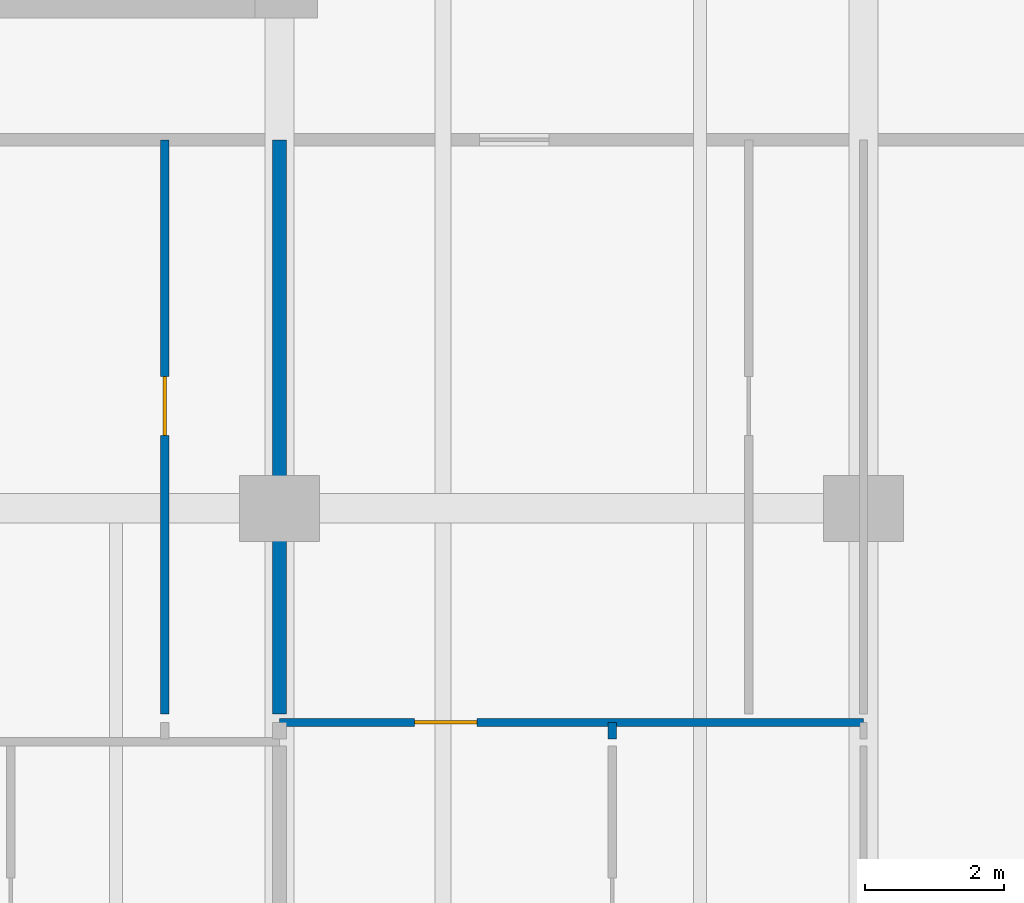
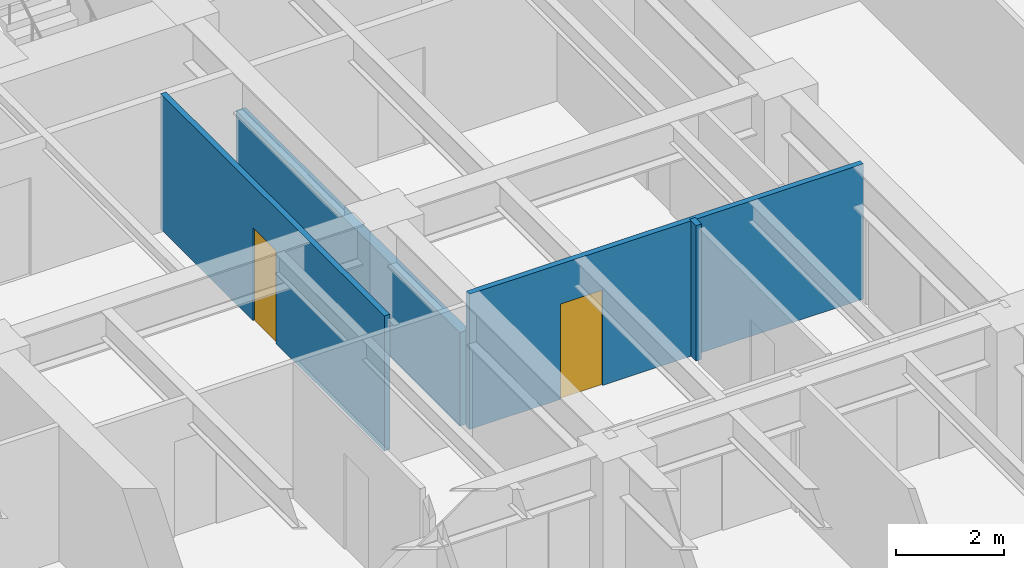
# One storey, part 10 of 18: 4 walls, 2 doors, 2 openings.
"""IFC4 building model written with IfcOpenShell, lengths in metres."""

from ifc_helpers import new_model, si_unit, direction, frame, frame_2d, origin, place, context, subcontext, project, spatial, rectangle, extrude, material, layer, layer_set, type_object, element, fill, save


model = new_model("IFC4")

# Units and contexts
model_context = context("Model", 3, precision=1e-05, world=origin(), true_north=direction((0.0, 1.0)))
body_context = subcontext(model_context, "Body", "Model", "MODEL_VIEW")
ifc_project = project(units=[si_unit("LENGTHUNIT", "METRE"), si_unit("AREAUNIT", "SQUARE_METRE"), si_unit("VOLUMEUNIT", "CUBIC_METRE"), si_unit("PLANEANGLEUNIT", "RADIAN"), si_unit("MASSUNIT", "GRAM", prefix="KILO")], contexts=[model_context])

# Site, building, storey
site_placement = place(None, origin())
site = spatial("IfcSite", under=ifc_project, at=site_placement, CompositionType="ELEMENT")
building_placement = place(site_placement, origin())
building = spatial("IfcBuilding", under=site, at=building_placement, Name="Caelmar Bay Residences", CompositionType="ELEMENT")
storey_placement = place(building_placement, frame((0.0, 0.0, 69.60009765625)))
storey = spatial("IfcBuildingStorey", under=building, at=storey_placement, Name="L18", CompositionType="ELEMENT", Elevation=69.60009765625)

# Wall, opening, door
ifc_material_1 = material(Name="Acoustic metal-stud gypsum partition 120 mm")
ifc_layer_1 = layer(ifc_material_1, 0.1201171875)
ifc_layer_set_1 = layer_set([ifc_layer_1], Name="Acoustic metal-stud gypsum partition 120 mm")
wall_type_1 = type_object("IfcWallType", Name="W-PRT-120", PredefinedType="PARTITIONING", material=ifc_layer_set_1)
wall_1_placement = place(storey_placement, frame((57.85009765625, 26.43994140625, 0.0), z_axis=(0.0, 0.0, 1.0), x_axis=(0.0, 1.0, 0.0)))
wall_1 = element("IfcWall", 1, at=wall_1_placement, inside=storey, type_object=wall_type_1, Name="L18 Partition Wall V089", PredefinedType="PARTITIONING", context=body_context, shape_type="SweptSolid", body=[
    extrude(rectangle(XDim=8.260009765625, YDim=0.1201171875, at=frame_2d((4.1298828125, 0.0))), origin(), (0.0, 0.0, 1.0), 3.0498046875),
])
opening_1_placement = place(wall_1_placement, frame((4.0048828125, 0.0, 0.0)))
opening_1 = element("IfcOpeningElement", 2, at=opening_1_placement, cuts=wall_1, Name="Opening D-L18-156", PredefinedType="OPENING", context=body_context, shape_type="SweptSolid", body=[
    extrude(rectangle(XDim=0.85009765625, YDim=2.10009765625, at=frame_2d((0.425048828125, 1.050048828125))), frame((0.0, 0.070068359375, 0.0), z_axis=(0.0, -1.0, 0.0), x_axis=(1.0, 0.0, 0.0)), (0.0, 0.0, 1.0), 0.14013671875),
])
ifc_material_2 = material(Name="Solid walnut timber interior door leaf and frame", Category="wood")
ifc_layer_2 = layer(ifc_material_2, 0.050048828125)
ifc_layer_set_2 = layer_set([ifc_layer_2], Name="Solid walnut timber interior door leaf and frame")
door_type_1 = type_object("IfcDoorType", Name="D-BATH-850", OperationType="NOTDEFINED", PredefinedType="DOOR", material=ifc_layer_set_2)
door_1_placement = place(opening_1_placement, origin())
door_1 = element("IfcDoor", 3, at=door_1_placement, inside=storey, type_object=door_type_1, Name="L18 Residence 06 Bathroom Door", OperationType="SINGLE_SWING_LEFT", OverallHeight=2.10009765625, OverallWidth=0.85009765625, PredefinedType="DOOR", context=body_context, shape_type="SweptSolid", body=[
    extrude(rectangle(XDim=0.85009765625, YDim=2.10009765625, at=frame_2d((0.425048828125, 1.050048828125))), frame((0.0, 0.02490234375, 0.0), z_axis=(0.0, -1.0, 0.0), x_axis=(1.0, 0.0, 0.0)), (0.0, 0.0, 1.0), 0.050048828125),
])
fill(opening_1, door_1)

# Wall
wall_2_placement = place(storey_placement, frame((64.285888671875, 26.080078125, 0.0), z_axis=(0.0, 0.0, 1.0), x_axis=(0.0, 1.0, 0.0)))
element("IfcWall", 4, at=wall_2_placement, inside=storey, type_object=wall_type_1, Name="L18 Partition Wall V101", PredefinedType="PARTITIONING", context=body_context, shape_type="SweptSolid", body=[
    extrude(rectangle(XDim=0.239990234375, YDim=0.1201171875, at=frame_2d((0.1201171875, 0.0))), origin(), (0.0, 0.0, 1.0), 3.0498046875),
])

# Wall, opening, door
wall_3_placement = place(storey_placement, frame((59.5, 26.320068359375, 0.0), z_axis=(0.0, 0.0, 1.0), x_axis=(1.0, 0.0, 0.0)))
wall_3 = element("IfcWall", 5, at=wall_3_placement, inside=storey, type_object=wall_type_1, Name="L18 Partition Wall H135", PredefinedType="PARTITIONING", context=body_context, shape_type="SweptSolid", body=[
    extrude(rectangle(XDim=8.39990234375, YDim=0.1201171875, at=frame_2d((4.199951171875, 0.0))), origin(), (0.0, 0.0, 1.0), 3.0498046875),
])
opening_2_placement = place(wall_3_placement, frame((1.943115234375, 0.0, 0.0)))
opening_2 = element("IfcOpeningElement", 6, at=opening_2_placement, cuts=wall_3, Name="Opening D-L18-164", PredefinedType="OPENING", context=body_context, shape_type="SweptSolid", body=[
    extrude(rectangle(XDim=0.89990234375, YDim=2.14990234375, at=frame_2d((0.449951171875, 1.074951171875))), frame((0.0, 0.070068359375, 0.0), z_axis=(0.0, -1.0, 0.0), x_axis=(1.0, 0.0, 0.0)), (0.0, 0.0, 1.0), 0.14013671875),
])
ifc_layer_3 = layer(ifc_material_2, 0.050048828125)
ifc_layer_set_3 = layer_set([ifc_layer_3], Name="Solid walnut timber interior door leaf and frame")
door_type_2 = type_object("IfcDoorType", Name="D-ROOM-900", OperationType="NOTDEFINED", PredefinedType="DOOR", material=ifc_layer_set_3)
door_2_placement = place(opening_2_placement, origin())
door_2 = element("IfcDoor", 7, at=door_2_placement, inside=storey, type_object=door_type_2, Name="L18 Residence 07 Kitchen Door", OperationType="SINGLE_SWING_LEFT", OverallHeight=2.14990234375, OverallWidth=0.89990234375, PredefinedType="DOOR", context=body_context, shape_type="SweptSolid", body=[
    extrude(rectangle(XDim=0.89990234375, YDim=2.14990234375, at=frame_2d((0.449951171875, 1.074951171875))), frame((0.0, 0.02490234375, 0.0), z_axis=(0.0, -1.0, 0.0), x_axis=(1.0, 0.0, 0.0)), (0.0, 0.0, 1.0), 0.050048828125),
])
fill(opening_2, door_2)

# Wall
ifc_material_3 = material(Name="Acoustic twin-stud fire-rated inter-tenancy partition 200 mm")
ifc_layer_4 = layer(ifc_material_3, 0.199951171875)
ifc_layer_set_4 = layer_set([ifc_layer_4], Name="Acoustic twin-stud fire-rated inter-tenancy partition 200 mm")
wall_type_2 = type_object("IfcWallType", Name="W-PTY-200", PredefinedType="PARTITIONING", material=ifc_layer_set_4)
wall_4_placement = place(storey_placement, frame((59.5, 26.43994140625, 0.0), z_axis=(0.0, 0.0, 1.0), x_axis=(0.0, 1.0, 0.0)))
element("IfcWall", 8, at=wall_4_placement, inside=storey, type_object=wall_type_2, Name="L18 Partition Wall V095", PredefinedType="PARTITIONING", context=body_context, shape_type="SweptSolid", body=[
    extrude(rectangle(XDim=8.260009765625, YDim=0.199951171875, at=frame_2d((4.1298828125, 0.0))), origin(), (0.0, 0.0, 1.0), 2.10986328125),
])

save(model, "model.ifc")
